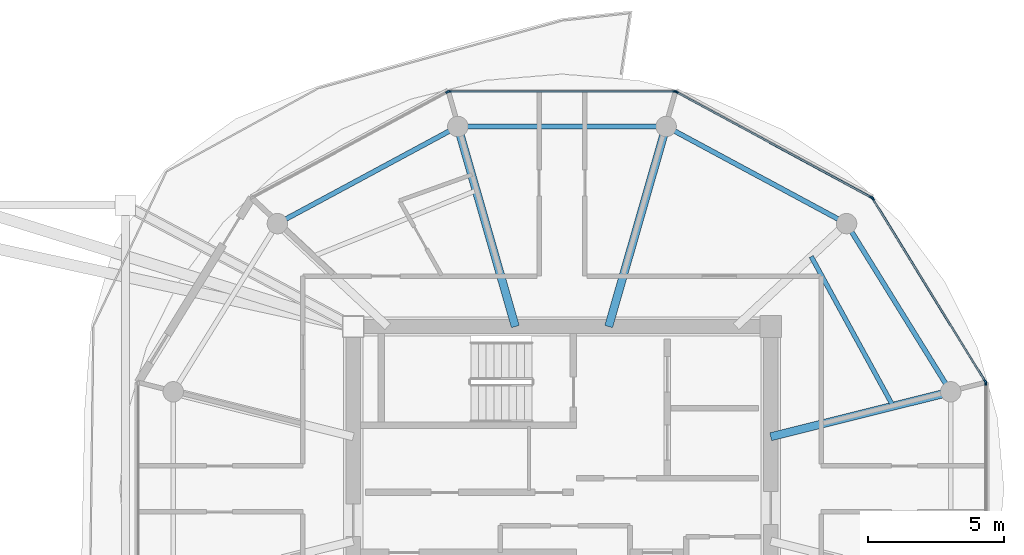
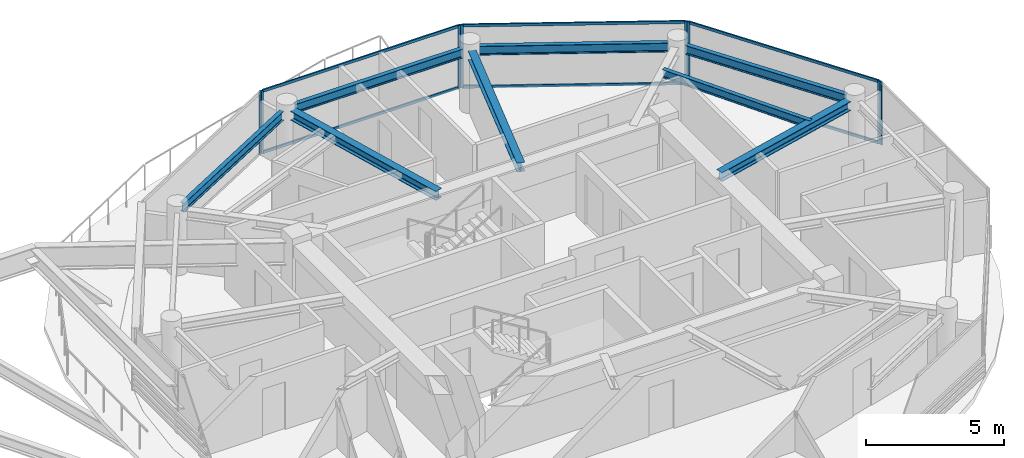
# One storey, part 11 of 23: 14 members, 8 beams, 5 elements without a shape of their own.
"""IFC4 building model written with IfcOpenShell, lengths in metres."""

from ifc_helpers import new_model, si_unit, direction, frame, origin, origin_2d, place, context, subcontext, project, spatial, rectangle, i_section, extrude, source, transform, mapped, material, layer, layer_set, material_profile, profile_set, type_object, type_shapes, element, aggregate, save


model = new_model("IFC4")

# Units and contexts
model_context = context("Model", 3, precision=1e-05, world=origin(), true_north=direction((0.0, 1.0)))
body_context = subcontext(model_context, "Body", "Model", "MODEL_VIEW")
ifc_project = project(units=[si_unit("LENGTHUNIT", "METRE"), si_unit("AREAUNIT", "SQUARE_METRE"), si_unit("VOLUMEUNIT", "CUBIC_METRE"), si_unit("PLANEANGLEUNIT", "RADIAN"), si_unit("MASSUNIT", "GRAM", prefix="KILO")], contexts=[model_context])

# Site, building, storey
site_placement = place(None, origin())
site = spatial("IfcSite", under=ifc_project, at=site_placement, CompositionType="ELEMENT")
building_placement = place(site_placement, origin())
building = spatial("IfcBuilding", under=site, at=building_placement, Name="Norrkilde Senior Care Towers", CompositionType="ELEMENT")
storey_placement = place(building_placement, frame((0.0, 0.0, 196.75)))
storey = spatial("IfcBuildingStorey", under=building, at=storey_placement, Name="L61", CompositionType="ELEMENT", Elevation=196.75)

# Beams
ifc_material_1 = material(Name="Steel S355", Category="steel")
ifc_material_profile_1 = material_profile(ifc_material_1, i_section(OverallWidth=0.179931640625, OverallDepth=0.39990234375, WebThickness=0.008544921875, FlangeThickness=0.013427734375, FilletRadius=0.02099609375, at=origin_2d()), Name="IPE 400")
ifc_profile_set_1 = profile_set([ifc_material_profile_1], Name="Steel S355")
beam_type_1 = type_object("IfcBeamType", Name="Perimeter Ring Spandrel Z4 IPE400", PredefinedType="SPANDREL", material=ifc_profile_set_1)
shared_shape_1 = source(origin(), body_context, "Body", "SweptSolid", [
    extrude(i_section(OverallWidth=0.179931640625, OverallDepth=0.39990234375, WebThickness=0.008544921875, FlangeThickness=0.013427734375, FilletRadius=0.02099609375, at=origin_2d()), origin(), (0.0, 0.0, 1.0), 6.58056640625),
])
beam_1_placement = place(storey_placement, frame((42.071044921875, 3.843505859375, 2.56005859375), z_axis=(-0.526529583789, 0.850156807533, 0.0), x_axis=(-0.850156807533, -0.526529583789, 0.0)))
element("IfcBeam", 1, at=beam_1_placement, inside=storey, type_object=beam_type_1, Name="L61 Drum E Perimeter Spandrel 01", PredefinedType="SPANDREL", context=body_context, shape_type="MappedRepresentation", body=[
    mapped(shared_shape_1, transform((0.0, 0.0, 0.0), x_axis=(1.0, 0.0, 0.0), y_axis=(0.0, 1.0, 0.0), z_axis=(0.0, 0.0, 1.0), scale=1.0)),
])
ifc_material_profile_2 = material_profile(ifc_material_1, i_section(OverallWidth=0.300048828125, OverallDepth=0.39990234375, WebThickness=0.013427734375, FlangeThickness=0.02392578125, FilletRadius=0.027099609375, at=origin_2d()), Name="HEB 400")
ifc_profile_set_2 = profile_set([ifc_material_profile_2], Name="Steel S355")
beam_type_2 = type_object("IfcBeamType", Name="Radial Floor Beam Z4 HEB400", PredefinedType="BEAM", material=ifc_profile_set_2)
shared_shape_2 = source(origin(), body_context, "Body", "SweptSolid", [
    extrude(i_section(OverallWidth=0.300048828125, OverallDepth=0.39990234375, WebThickness=0.013427734375, FlangeThickness=0.02392578125, FilletRadius=0.027099609375, at=origin_2d()), origin(), (0.0, 0.0, 1.0), 6.465087890625),
])
beam_2_placement = place(storey_placement, frame((35.64990234375, 1.910888671875, 2.56005859375), z_axis=(0.970195788563, 0.242322371758, 0.0), x_axis=(-0.242322371758, 0.970195788563, 0.0)))
element("IfcBeam", 2, at=beam_2_placement, inside=storey, type_object=beam_type_2, Name="L61 Drum E Radial Floor Beam 01", PredefinedType="BEAM", context=body_context, shape_type="MappedRepresentation", body=[
    mapped(shared_shape_2, transform((0.0, 0.0, 0.0), x_axis=(1.0, 0.0, 0.0), y_axis=(0.0, 1.0, 0.0), z_axis=(0.0, 0.0, 1.0), scale=1.0)),
])
shared_shape_3 = source(origin(), body_context, "Body", "SweptSolid", [
    extrude(i_section(OverallWidth=0.179931640625, OverallDepth=0.39990234375, WebThickness=0.008544921875, FlangeThickness=0.013427734375, FilletRadius=0.02099609375, at=origin_2d()), origin(), (0.0, 0.0, 1.0), 6.839111328125),
])
for number, where, z_axis, x_axis, name in (
    (3, (38.134765625, 9.881591796875, 2.56005859375), (-0.880563930732, 0.473927382511, 0.0), (-0.473927382511, -0.880563930732, 0.0), "L61 Drum E Perimeter Spandrel 02"),
    (4, (23.887451171875, 13.122802734375, 2.56005859375), (-0.880563930732, -0.473927382511, 0.0), (0.473927382511, -0.880563930732, 0.0), "L61 Drum E Perimeter Spandrel 04"),
):
    element("IfcBeam", number, at=place(storey_placement, frame(where, z_axis=z_axis, x_axis=x_axis)), inside=storey, type_object=beam_type_1, Name=name, PredefinedType="SPANDREL", context=body_context, shape_type="MappedRepresentation", body=[
        mapped(shared_shape_3, transform((0.0, 0.0, 0.0), x_axis=(1.0, 0.0, 0.0), y_axis=(0.0, 1.0, 0.0), z_axis=(0.0, 0.0, 1.0), scale=1.0)),
    ])
shared_shape_4 = source(origin(), body_context, "Body", "SweptSolid", [
    extrude(i_section(OverallWidth=0.179931640625, OverallDepth=0.39990234375, WebThickness=0.008544921875, FlangeThickness=0.013427734375, FilletRadius=0.02099609375, at=origin_2d()), origin(), (0.0, 0.0, 1.0), 6.96533203125),
])
type_shapes(beam_type_1, [shared_shape_1, shared_shape_3, shared_shape_4])
beam_3_placement = place(storey_placement, frame((31.482666015625, 13.281494140625, 2.56005859375), z_axis=(-1.0, 0.0, 0.0), x_axis=(0.0, -1.0, 0.0)))
element("IfcBeam", 5, at=beam_3_placement, inside=storey, type_object=beam_type_1, Name="L61 Drum E Perimeter Spandrel 03", PredefinedType="SPANDREL", context=body_context, shape_type="MappedRepresentation", body=[
    mapped(shared_shape_4, transform((0.0, 0.0, 0.0), x_axis=(1.0, 0.0, 0.0), y_axis=(0.0, 1.0, 0.0), z_axis=(0.0, 0.0, 1.0), scale=1.0)),
])
shared_shape_5 = source(origin(), body_context, "Body", "SweptSolid", [
    extrude(i_section(OverallWidth=0.300048828125, OverallDepth=0.39990234375, WebThickness=0.013427734375, FlangeThickness=0.02392578125, FilletRadius=0.027099609375, at=origin_2d()), origin(), (0.0, 0.0, 1.0), 7.29345703125),
])
type_shapes(beam_type_2, [shared_shape_2, shared_shape_5])
for number, where, z_axis, x_axis, name in (
    (6, (29.710205078125, 5.949951171875, 2.56005859375), (0.276263751906, 0.961081858836, 0.0), (-0.961081858836, 0.276263751906, 0.0), "L61 Drum E Radial Floor Beam 03"),
    (7, (26.289794921875, 5.949951171875, 2.56005859375), (-0.276263751906, 0.961081858836, 0.0), (-0.961081858836, -0.276263751906, 0.0), "L61 Drum E Radial Floor Beam 04"),
):
    element("IfcBeam", number, at=place(storey_placement, frame(where, z_axis=z_axis, x_axis=x_axis)), inside=storey, type_object=beam_type_2, Name=name, PredefinedType="BEAM", context=body_context, shape_type="MappedRepresentation", body=[
        mapped(shared_shape_5, transform((0.0, 0.0, 0.0), x_axis=(1.0, 0.0, 0.0), y_axis=(0.0, 1.0, 0.0), z_axis=(0.0, 0.0, 1.0), scale=1.0)),
    ])
ifc_material_profile_3 = material_profile(ifc_material_1, i_section(OverallWidth=0.169921875, OverallDepth=0.360107421875, WebThickness=0.008056640625, FlangeThickness=0.0126953125, FilletRadius=0.01806640625, at=origin_2d()), Name="IPE 360")
ifc_profile_set_3 = profile_set([ifc_material_profile_3], Name="Steel S355")
beam_type_3 = type_object("IfcBeamType", Name="Secondary Floor Joist IPE360", PredefinedType="JOIST", material=ifc_profile_set_3)
shared_shape_6 = source(origin(), body_context, "Body", "SweptSolid", [
    extrude(i_section(OverallWidth=0.169921875, OverallDepth=0.360107421875, WebThickness=0.008056640625, FlangeThickness=0.0126953125, FilletRadius=0.01806640625, at=origin_2d()), origin(), (0.0, 0.0, 1.0), 6.25146484375),
])
type_shapes(beam_type_3, [shared_shape_6])
beam_4_placement = place(storey_placement, frame((40.13623046875, 3.031494140625, 2.580078125), z_axis=(-0.480115752653, 0.877205143655, 0.0), x_axis=(-0.877205143655, -0.480115752653, 0.0)))
element("IfcBeam", 8, at=beam_4_placement, inside=storey, type_object=beam_type_3, Name="L61 Drum E Secondary Floor Joist 1", PredefinedType="JOIST", context=body_context, shape_type="MappedRepresentation", body=[
    mapped(shared_shape_6, transform((0.0, 0.0, 0.0), x_axis=(1.0, 0.0, 0.0), y_axis=(0.0, 1.0, 0.0), z_axis=(0.0, 0.0, 1.0), scale=1.0)),
])

# Curtain wall, members
ifc_material_2 = material(Name="Triple Low-E Insulated Glazing", Category="glass")
ifc_layer = layer(ifc_material_2, 0.18505859375)
ifc_layer_set = layer_set([ifc_layer], Name="Triple Low-E Insulated Glazing")
curtain_wall_type = type_object("IfcCurtainWallType", Name="CW6 Zone 4 Crown Pavilion Curtain Wall", PredefinedType="NOTDEFINED", material=ifc_layer_set)
curtain_wall_1_placement = place(storey_placement, origin())
curtain_wall_1 = element("IfcCurtainWall", 9, at=curtain_wall_1_placement, inside=storey, type_object=curtain_wall_type, Name="L61 Drum E Curtain Wall 00", PredefinedType="NOTDEFINED")
ifc_material_3 = material(Name="Anodised Aluminium", Category="aluminium")
ifc_material_profile_4 = material_profile(ifc_material_3, rectangle(XDim=0.06005859375, YDim=0.1201171875, at=origin_2d()), Name="ALU TRAN 60x120")
ifc_profile_set_4 = profile_set([ifc_material_profile_4], Name="Anodised Aluminium")
member_type_1 = type_object("IfcMemberType", Name="Curtain Wall Transom Typical 60x120", PredefinedType="USERDEFINED", material=ifc_profile_set_4)
shared_shape_7 = source(origin(), body_context, "Body", "SweptSolid", [
    extrude(rectangle(XDim=0.06005859375, YDim=0.1201171875, at=origin_2d()), origin(), (0.0, 0.0, 1.0), 7.808837890625),
])
member_1_placement = place(storey_placement, frame((39.404296875, 10.60791015625, 0.030029296875), z_axis=(0.524250924101, -0.851563837055, 0.0), x_axis=(0.851563837055, 0.524250924101, 0.0)))
member_1 = element("IfcMember", 10, at=member_1_placement, type_object=member_type_1, Name="CW-6 transom 1.1", ObjectType="TRANSOM", PredefinedType="USERDEFINED", context=body_context, shape_type="MappedRepresentation", body=[
    mapped(shared_shape_7, transform((0.0, 0.0, 0.0), x_axis=(1.0, 0.0, 0.0), y_axis=(0.0, 1.0, 0.0), z_axis=(0.0, 0.0, 1.0), scale=1.0)),
])
member_2_placement = place(storey_placement, frame((39.404296875, 10.60791015625, 2.72998046875), z_axis=(0.524250924101, -0.851563837055, 0.0), x_axis=(0.851563837055, 0.524250924101, 0.0)))
member_2 = element("IfcMember", 11, at=member_2_placement, type_object=member_type_1, Name="CW-6 transom 1.2", ObjectType="TRANSOM", PredefinedType="USERDEFINED", context=body_context, shape_type="MappedRepresentation", body=[
    mapped(shared_shape_7, transform((0.0, 0.0, 0.0), x_axis=(1.0, 0.0, 0.0), y_axis=(0.0, 1.0, 0.0), z_axis=(0.0, 0.0, 1.0), scale=1.0)),
])

curtain_wall_2_placement = place(storey_placement, origin())
curtain_wall_2 = element("IfcCurtainWall", 12, at=curtain_wall_2_placement, inside=storey, type_object=curtain_wall_type, Name="L61 Drum E Curtain Wall 02", PredefinedType="NOTDEFINED")
shared_shape_8 = source(origin(), body_context, "Body", "SweptSolid", [
    extrude(rectangle(XDim=0.06005859375, YDim=0.1201171875, at=origin_2d()), origin(), (0.0, 0.0, 1.0), 8.19384765625),
])
member_3_placement = place(storey_placement, frame((23.903076171875, 14.566162109375, 0.030029296875), z_axis=(1.0, 0.0, 0.0), x_axis=(0.0, 1.0, 0.0)))
member_3 = element("IfcMember", 13, at=member_3_placement, type_object=member_type_1, Name="CW-6 transom 1.1", ObjectType="TRANSOM", PredefinedType="USERDEFINED", context=body_context, shape_type="MappedRepresentation", body=[
    mapped(shared_shape_8, transform((0.0, 0.0, 0.0), x_axis=(1.0, 0.0, 0.0), y_axis=(0.0, 1.0, 0.0), z_axis=(0.0, 0.0, 1.0), scale=1.0)),
])
member_4_placement = place(storey_placement, frame((23.903076171875, 14.566162109375, 2.72998046875), z_axis=(1.0, 0.0, 0.0), x_axis=(0.0, 1.0, 0.0)))
member_4 = element("IfcMember", 14, at=member_4_placement, type_object=member_type_1, Name="CW-6 transom 1.2", ObjectType="TRANSOM", PredefinedType="USERDEFINED", context=body_context, shape_type="MappedRepresentation", body=[
    mapped(shared_shape_8, transform((0.0, 0.0, 0.0), x_axis=(1.0, 0.0, 0.0), y_axis=(0.0, 1.0, 0.0), z_axis=(0.0, 0.0, 1.0), scale=1.0)),
])

curtain_wall_3_placement = place(storey_placement, origin())
curtain_wall_3 = element("IfcCurtainWall", 15, at=curtain_wall_3_placement, inside=storey, type_object=curtain_wall_type, Name="L61 Drum E Curtain Wall 01", PredefinedType="NOTDEFINED")
shared_shape_9 = source(origin(), body_context, "Body", "SweptSolid", [
    extrude(rectangle(XDim=0.06005859375, YDim=0.1201171875, at=origin_2d()), origin(), (0.0, 0.0, 1.0), 8.0673828125),
])
type_shapes(member_type_1, [shared_shape_7, shared_shape_8, shared_shape_9])
member_5_placement = place(storey_placement, frame((32.218994140625, 14.53515625, 0.030029296875), z_axis=(0.87937750072, -0.476125205411, 0.0), x_axis=(0.476125205411, 0.87937750072, 0.0)))
member_5 = element("IfcMember", 16, at=member_5_placement, type_object=member_type_1, Name="CW-6 transom 1.1", ObjectType="TRANSOM", PredefinedType="USERDEFINED", context=body_context, shape_type="MappedRepresentation", body=[
    mapped(shared_shape_9, transform((0.0, 0.0, 0.0), x_axis=(1.0, 0.0, 0.0), y_axis=(0.0, 1.0, 0.0), z_axis=(0.0, 0.0, 1.0), scale=1.0)),
])
member_6_placement = place(storey_placement, frame((32.218994140625, 14.53515625, 2.72998046875), z_axis=(0.87937750072, -0.476125205411, 0.0), x_axis=(0.476125205411, 0.87937750072, 0.0)))
member_6 = element("IfcMember", 17, at=member_6_placement, type_object=member_type_1, Name="CW-6 transom 1.2", ObjectType="TRANSOM", PredefinedType="USERDEFINED", context=body_context, shape_type="MappedRepresentation", body=[
    mapped(shared_shape_9, transform((0.0, 0.0, 0.0), x_axis=(1.0, 0.0, 0.0), y_axis=(0.0, 1.0, 0.0), z_axis=(0.0, 0.0, 1.0), scale=1.0)),
])

# Member
ifc_material_profile_5 = material_profile(ifc_material_3, rectangle(XDim=0.06494140625, YDim=0.14990234375, at=origin_2d()), Name="ALU MULL 65x150")
ifc_profile_set_5 = profile_set([ifc_material_profile_5], Name="Anodised Aluminium")
member_type_2 = type_object("IfcMemberType", Name="Curtain Wall Mullion Z3-Z4 65x150", PredefinedType="MULLION", material=ifc_profile_set_5)
shared_shape_10 = source(origin(), body_context, "Body", "SweptSolid", [
    extrude(rectangle(XDim=0.06494140625, YDim=0.14990234375, at=origin_2d()), origin(), (0.0, 0.0, 1.0), 2.760009765625),
])
type_shapes(member_type_2, [shared_shape_10])
member_7_placement = place(storey_placement, frame((39.38720703125, 10.635498046875, 0.0), z_axis=(0.0, 0.0, 1.0), x_axis=(0.851562727283, 0.524252726748, 0.0)))
member_7 = element("IfcMember", 18, at=member_7_placement, type_object=member_type_2, Name="CW-6 mullion 1", PredefinedType="MULLION", context=body_context, shape_type="MappedRepresentation", body=[
    mapped(shared_shape_10, transform((0.0, 0.0, 0.0), x_axis=(1.0, 0.0, 0.0), y_axis=(0.0, 1.0, 0.0), z_axis=(0.0, 0.0, 1.0), scale=1.0)),
])

member_8_placement = place(storey_placement, frame((43.51513671875, 3.9306640625, 0.0), z_axis=(0.0, 0.0, 1.0), x_axis=(0.851562727283, 0.524252726748, 0.0)))
member_8 = element("IfcMember", 19, at=member_8_placement, type_object=member_type_2, Name="CW-6 mullion 2", PredefinedType="MULLION", context=body_context, shape_type="MappedRepresentation", body=[
    mapped(shared_shape_10, transform((0.0, 0.0, 0.0), x_axis=(1.0, 0.0, 0.0), y_axis=(0.0, 1.0, 0.0), z_axis=(0.0, 0.0, 1.0), scale=1.0)),
])

aggregate(curtain_wall_1, [member_7, member_8, member_1, member_2])

member_9_placement = place(storey_placement, frame((32.1904296875, 14.55078125, 0.0), z_axis=(0.0, 0.0, 1.0), x_axis=(0.476132676136, 0.879373455772, 0.0)))
member_9 = element("IfcMember", 20, at=member_9_placement, type_object=member_type_2, Name="CW-6 mullion 1", PredefinedType="MULLION", context=body_context, shape_type="MappedRepresentation", body=[
    mapped(shared_shape_10, transform((0.0, 0.0, 0.0), x_axis=(1.0, 0.0, 0.0), y_axis=(0.0, 1.0, 0.0), z_axis=(0.0, 0.0, 1.0), scale=1.0)),
])

member_10_placement = place(storey_placement, frame((39.341796875, 10.6787109375, 0.0), z_axis=(0.0, 0.0, 1.0), x_axis=(0.476132676136, 0.879373455772, 0.0)))
member_10 = element("IfcMember", 21, at=member_10_placement, type_object=member_type_2, Name="CW-6 mullion 2", PredefinedType="MULLION", context=body_context, shape_type="MappedRepresentation", body=[
    mapped(shared_shape_10, transform((0.0, 0.0, 0.0), x_axis=(1.0, 0.0, 0.0), y_axis=(0.0, 1.0, 0.0), z_axis=(0.0, 0.0, 1.0), scale=1.0)),
])

aggregate(curtain_wall_3, [member_9, member_10, member_5, member_6])

member_11_placement = place(storey_placement, frame((23.87060546875, 14.566162109375, 0.0), z_axis=(0.0, 0.0, 1.0), x_axis=(0.0, 1.0, 0.0)))
member_11 = element("IfcMember", 22, at=member_11_placement, type_object=member_type_2, Name="CW-6 mullion 1", PredefinedType="MULLION", context=body_context, shape_type="MappedRepresentation", body=[
    mapped(shared_shape_10, transform((0.0, 0.0, 0.0), x_axis=(1.0, 0.0, 0.0), y_axis=(0.0, 1.0, 0.0), z_axis=(0.0, 0.0, 1.0), scale=1.0)),
])

member_12_placement = place(storey_placement, frame((32.12939453125, 14.566162109375, 0.0), z_axis=(0.0, 0.0, 1.0), x_axis=(0.0, 1.0, 0.0)))
member_12 = element("IfcMember", 23, at=member_12_placement, type_object=member_type_2, Name="CW-6 mullion 2", PredefinedType="MULLION", context=body_context, shape_type="MappedRepresentation", body=[
    mapped(shared_shape_10, transform((0.0, 0.0, 0.0), x_axis=(1.0, 0.0, 0.0), y_axis=(0.0, 1.0, 0.0), z_axis=(0.0, 0.0, 1.0), scale=1.0)),
])

aggregate(curtain_wall_2, [member_11, member_12, member_3, member_4])

# Curtain wall, member
curtain_wall_4_placement = place(storey_placement, origin())
curtain_wall_4 = element("IfcCurtainWall", 24, at=curtain_wall_4_placement, inside=storey, type_object=curtain_wall_type, Name="L61 Drum E Curtain Wall 03", PredefinedType="NOTDEFINED")
member_13_placement = place(storey_placement, frame((23.8095703125, 14.55078125, 0.0), z_axis=(0.0, 0.0, 1.0), x_axis=(-0.476132676136, 0.879373455772, 0.0)))
member_13 = element("IfcMember", 25, at=member_13_placement, type_object=member_type_2, Name="CW-6 mullion 2", PredefinedType="MULLION", context=body_context, shape_type="MappedRepresentation", body=[
    mapped(shared_shape_10, transform((0.0, 0.0, 0.0), x_axis=(1.0, 0.0, 0.0), y_axis=(0.0, 1.0, 0.0), z_axis=(0.0, 0.0, 1.0), scale=1.0)),
])
aggregate(curtain_wall_4, [member_13])

curtain_wall_5_placement = place(storey_placement, origin())
curtain_wall_5 = element("IfcCurtainWall", 26, at=curtain_wall_5_placement, inside=storey, type_object=curtain_wall_type, Name="L61 Drum E Curtain Wall 11", PredefinedType="NOTDEFINED")
member_14_placement = place(storey_placement, frame((43.531982421875, 3.87060546875, 0.0), z_axis=(0.0, 0.0, 1.0), x_axis=(1.0, 0.0, 0.0)))
member_14 = element("IfcMember", 27, at=member_14_placement, type_object=member_type_2, Name="CW-6 mullion 1", PredefinedType="MULLION", context=body_context, shape_type="MappedRepresentation", body=[
    mapped(shared_shape_10, transform((0.0, 0.0, 0.0), x_axis=(1.0, 0.0, 0.0), y_axis=(0.0, 1.0, 0.0), z_axis=(0.0, 0.0, 1.0), scale=1.0)),
])
aggregate(curtain_wall_5, [member_14])

save(model, "model.ifc")
